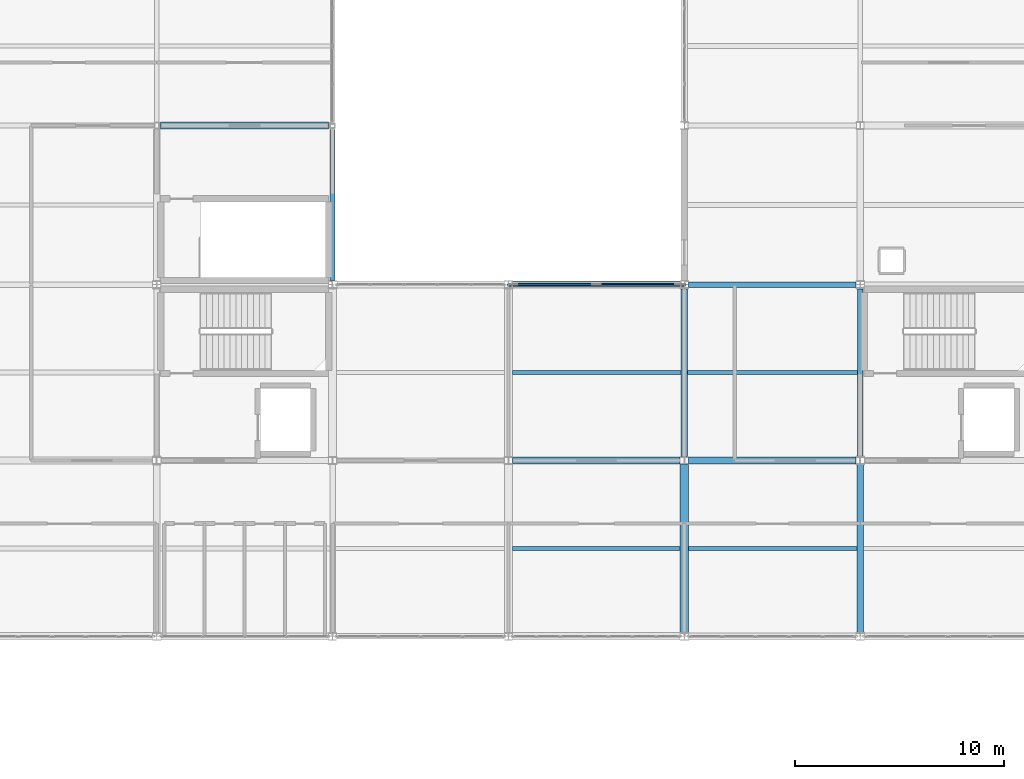
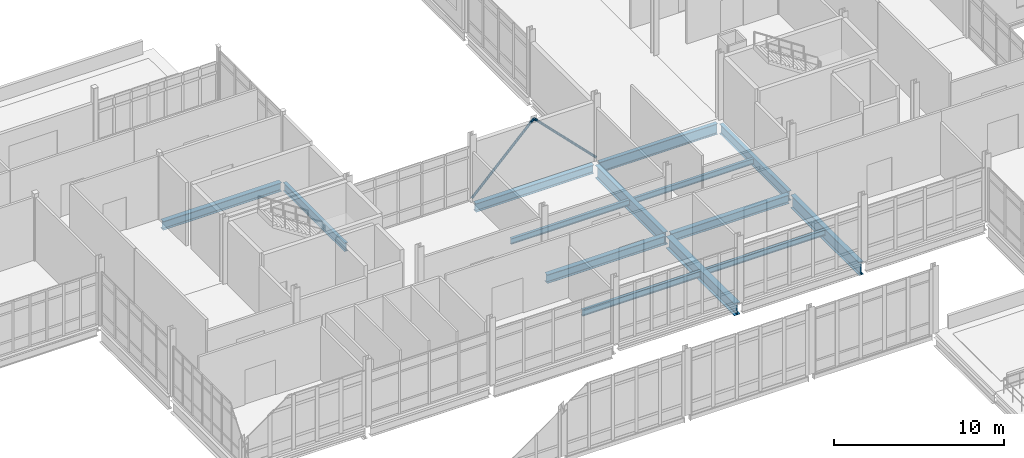
# One storey, part 41 of 186: 14 beams, 2 members.
"""IFC4 building model written with IfcOpenShell, lengths in metres."""

import ifcopenshell
import ifcopenshell.guid

model = None  # the IFC model being written
_history = None  # IfcOwnerHistory: only IFC2X3 demands one
_inside = {}  # id of a spatial element -> (the spatial element, [elements in it])
_under = {}  # id of a project, library or spatial element -> (it, [spatial elements below it])
_declared = {}  # id of a project -> (the project, [libraries it declares])
_typed = {}  # id of a type object -> (the type object, [elements of that type])
_made_of = {}  # id of a material, layer set ... -> (it, [elements and type objects made of it])


def new_model(schema):
    """Start an empty IFC model of exactly this schema.

    Asked for "IFC4X3", IfcOpenShell would pick the latest addendum, in which some entities
    have other attributes; the version numbers below select the first issue.
    IFC2X3 requires an IfcOwnerHistory on every rooted entity: one is made here for all.
    """
    global model, _history
    if schema == "IFC4X3":
        model = ifcopenshell.file(schema_version=(4, 3, 0, 0))
    else:
        model = ifcopenshell.file(schema=schema)
    _inside.clear()
    _under.clear()
    _declared.clear()
    _typed.clear()
    _made_of.clear()
    _history = None
    if model.schema == "IFC2X3":
        org = make("IfcOrganization", Name="unknown")
        user = make(
            "IfcPersonAndOrganization",
            ThePerson=make("IfcPerson", FamilyName="unknown"),
            TheOrganization=org,
        )
        app = make(
            "IfcApplication",
            ApplicationDeveloper=org,
            Version="unknown",
            ApplicationFullName="unknown",
            ApplicationIdentifier="unknown",
        )
        _history = make(
            "IfcOwnerHistory",
            OwningUser=user,
            OwningApplication=app,
            ChangeAction="ADDED",
            CreationDate=0,
        )
    return model


def make(cls, **values):
    """One entity of the class cls with the attributes given. An attribute that is None is left unset."""
    return model.create_entity(
        cls, **{name: value for name, value in values.items() if value is not None}
    )


def rooted(cls, **values):
    """An entity with a GlobalId (a new one), such as an element, a storey or a relation."""
    return make(cls, GlobalId=ifcopenshell.guid.new(), OwnerHistory=_history, **values)


def si_unit(unit_type, name, prefix=None):
    """IfcSIUnit, for example si_unit("LENGTHUNIT", "METRE", prefix="MILLI")."""
    return make("IfcSIUnit", UnitType=unit_type, Prefix=prefix, Name=name)


def assignment(units):
    """IfcUnitAssignment: the units of a project."""
    return None if units is None else make("IfcUnitAssignment", Units=units)


def point(xyz):
    """IfcCartesianPoint."""
    return None if xyz is None else make("IfcCartesianPoint", Coordinates=xyz)


def direction(xyz):
    """IfcDirection."""
    return None if xyz is None else make("IfcDirection", DirectionRatios=xyz)


def frame(location, z_axis=None, x_axis=None):
    """IfcAxis2Placement3D, a coordinate frame: its origin and axes. An axis left out is left unset."""
    return make(
        "IfcAxis2Placement3D",
        Location=point(location),
        Axis=direction(z_axis),
        RefDirection=direction(x_axis),
    )


def frame_2d(location, x_axis=None):
    """IfcAxis2Placement2D, a coordinate frame in the plane: its origin and x axis."""
    return make(
        "IfcAxis2Placement2D", Location=point(location), RefDirection=direction(x_axis)
    )


def origin():
    """The frame at (0, 0, 0) with its axes left unset."""
    return frame((0.0, 0.0, 0.0))


def origin_2d():
    """The frame at (0, 0) in the plane with its x axis left unset."""
    return frame_2d((0.0, 0.0))


def place(relative_to, where):
    """IfcLocalPlacement: puts the frame where relative to a parent placement (None: the world)."""
    return make(
        "IfcLocalPlacement", PlacementRelTo=relative_to, RelativePlacement=where
    )


def context(
    kind, dimensions, precision=None, world=None, true_north=None, identifier=None
):
    """IfcGeometricRepresentationContext, for example the 3D "Model" context."""
    return make(
        "IfcGeometricRepresentationContext",
        ContextIdentifier=identifier,
        ContextType=kind,
        CoordinateSpaceDimension=dimensions,
        Precision=precision,
        WorldCoordinateSystem=world,
        TrueNorth=true_north,
    )


def subcontext(parent, identifier, kind, view, scale=None):
    """IfcGeometricRepresentationSubContext, for example "Body" below "Model"."""
    return make(
        "IfcGeometricRepresentationSubContext",
        ContextIdentifier=identifier,
        ContextType=kind,
        ParentContext=parent,
        TargetScale=scale,
        TargetView=view,
    )


def project(units=None, contexts=None):
    """IfcProject with its units and contexts."""
    return rooted(
        "IfcProject",
        Name="project",
        RepresentationContexts=contexts,
        UnitsInContext=assignment(units),
    )


def spatial(cls, under=None, at=None, **own):
    """A site, building, storey or space (cls), placed at a placement, below another one or the project."""
    s = rooted(cls, ObjectPlacement=at, **own)
    if under is not None:
        _under.setdefault(under.id(), (under, []))[1].append(s)
    return s


def profile(cls, at=None, kind="AREA", **sizes):
    """A parametric profile (cls). Its sizes go by their IFC names, for example OverallWidth=200.0."""
    return make(cls, ProfileType=kind, Position=at, **sizes)


def hollow_circle(**sizes):
    """IfcCircleHollowProfileDef."""
    return profile("IfcCircleHollowProfileDef", **sizes)


def i_section(**sizes):
    """IfcIShapeProfileDef."""
    return profile("IfcIShapeProfileDef", **sizes)


def extrude(swept, where, along, depth):
    """IfcExtrudedAreaSolid: the profile swept, set in the frame where, extruded along a direction by depth."""
    return make(
        "IfcExtrudedAreaSolid",
        SweptArea=swept,
        Position=where,
        ExtrudedDirection=direction(along),
        Depth=depth,
    )


def shape(context_of_items, identifier, shape_type, items):
    """IfcShapeRepresentation: the items that make up one representation, for example the "Body"."""
    return make(
        "IfcShapeRepresentation",
        ContextOfItems=context_of_items,
        RepresentationIdentifier=identifier,
        RepresentationType=shape_type,
        Items=items,
    )


def material(Name=None, Category=None):
    """IfcMaterial."""
    return make("IfcMaterial", Name=Name, Category=Category)


def material_profile(
    of_material, cross_section, Name=None, Category=None, Priority=None
):
    """IfcMaterialProfile: a cross section and its material."""
    return make(
        "IfcMaterialProfile",
        Name=Name,
        Material=of_material,
        Profile=cross_section,
        Priority=Priority,
        Category=Category,
    )


def profile_set(profiles, Name=None, composite=None):
    """IfcMaterialProfileSet."""
    return make(
        "IfcMaterialProfileSet",
        Name=Name,
        MaterialProfiles=profiles,
        CompositeProfile=composite,
    )


def made_of(thing, what):
    """Note that an element or type object is made of a material, layer set ...; save() writes the relation."""
    if what is not None:
        _made_of.setdefault(what.id(), (what, []))[1].append(thing)
    return thing


def type_object(cls, material=None, **own):
    """A type object (cls), such as IfcWallType, which elements share."""
    return made_of(rooted(cls, **own), material)


def element(
    cls,
    number,
    at=None,
    inside=None,
    cuts=None,
    type_object=None,
    material=None,
    context=None,
    identifier="Body",
    shape_type=None,
    held_by="IfcProductDefinitionShape",
    body=None,
    shapes=None,
    **own,
):
    """One element of the class cls, such as IfcWall. Its Tag is "e" and its number.

    at: its placement. inside: the storey or other place that contains it. cuts: it is an
    opening in that element (IfcRelVoidsElement). A single representation is given by context,
    identifier, shape_type and body (its items); several are given by shapes. held_by: the class
    of the entity that holds the representations. save() writes the other relations.
    """
    e = rooted(cls, Tag="e%d" % number, ObjectPlacement=at, **own)
    if body is not None:
        shapes = [shape(context, identifier, shape_type, body)]
    if shapes is not None:
        e.Representation = make(held_by, Representations=shapes)
    if inside is not None:
        _inside.setdefault(inside.id(), (inside, []))[1].append(e)
    if cuts is not None:
        rooted(
            "IfcRelVoidsElement", RelatingBuildingElement=cuts, RelatedOpeningElement=e
        )
    if type_object is not None:
        _typed.setdefault(type_object.id(), (type_object, []))[1].append(e)
    return made_of(e, material)


def aggregate(whole, parts):
    """IfcRelAggregates: a whole, such as a stair, and the parts it consists of."""
    return rooted("IfcRelAggregates", RelatingObject=whole, RelatedObjects=parts)


def save(model, path):
    """Write the relations noted so far, then the file.

    IfcRelAggregates (storeys below a building ...), IfcRelContainedInSpatialStructure (elements
    in a storey), IfcRelDefinesByType, IfcRelAssociatesMaterial and IfcRelDeclares: one each for
    every whole, place, type object, material and project.
    """
    for whole, parts in _under.values():
        aggregate(whole, parts)
    for where, things in _inside.values():
        rooted(
            "IfcRelContainedInSpatialStructure",
            RelatedElements=things,
            RelatingStructure=where,
        )
    for kind, things in _typed.values():
        rooted("IfcRelDefinesByType", RelatedObjects=things, RelatingType=kind)
    for what, things in _made_of.values():
        rooted("IfcRelAssociatesMaterial", RelatedObjects=things, RelatingMaterial=what)
    for by, libraries in _declared.values():
        rooted("IfcRelDeclares", RelatingContext=by, RelatedDefinitions=libraries)
    model.write(path)


model = new_model("IFC4")

# Units and contexts
model_context = context("Model", 3, precision=1e-05, world=origin(), true_north=direction((0.0, 1.0)))
body_context = subcontext(model_context, "Body", "Model", "MODEL_VIEW")
ifc_project = project(units=[si_unit("LENGTHUNIT", "METRE"), si_unit("AREAUNIT", "SQUARE_METRE"), si_unit("VOLUMEUNIT", "CUBIC_METRE"), si_unit("PLANEANGLEUNIT", "RADIAN"), si_unit("MASSUNIT", "GRAM", prefix="KILO")], contexts=[model_context])

# Site, building, storey
site_placement = place(None, origin())
site = spatial("IfcSite", under=ifc_project, at=site_placement, CompositionType="ELEMENT")
building_placement = place(site_placement, origin())
building = spatial("IfcBuilding", under=site, at=building_placement, Name="Calvrana Isthmian Art Gallery", CompositionType="ELEMENT")
storey_placement = place(building_placement, frame((0.0, 0.0, 5.39990234375)))
storey = spatial("IfcBuildingStorey", under=building, at=storey_placement, Name="L01", CompositionType="ELEMENT", Elevation=5.39990234375)

# Beams
ifc_material_1 = material(Name="Steel ASTM A992 Gr 50", Category="steel")
ifc_material_profile_1 = material_profile(ifc_material_1, i_section(OverallWidth=0.324951171875, OverallDepth=0.612060546875, WebThickness=0.0126953125, FlangeThickness=0.01904296875, FilletRadius=0.02197265625, at=origin_2d()), Name="W24X104")
ifc_profile_set_1 = profile_set([ifc_material_profile_1], Name="Steel ASTM A992 Gr 50")
beam_type_1 = type_object("IfcBeamType", Name="BM-G-W24X104", PredefinedType="BEAM", material=ifc_profile_set_1)
beam_1_placement = place(storey_placement, frame((55.3994140625, 38.39990234375, -0.55078125), z_axis=(1.0, 0.0, 0.0), x_axis=(0.0, 1.0, 0.0)))
element("IfcBeam", 1, at=beam_1_placement, inside=storey, type_object=beam_type_1, Name="Girder X L01 08-09/F", PredefinedType="BEAM", context=body_context, shape_type="SweptSolid", body=[
    extrude(i_section(OverallWidth=0.324951171875, OverallDepth=0.612060546875, WebThickness=0.0126953125, FlangeThickness=0.01904296875, FilletRadius=0.02197265625, at=origin_2d()), origin(), (0.0, 0.0, 1.0), 8.002685546875),
])
beam_2_placement = place(storey_placement, frame((46.99951171875, 46.800048828125, -0.55078125), z_axis=(1.0, 0.0, 0.0), x_axis=(0.0, 1.0, 0.0)))
element("IfcBeam", 2, at=beam_2_placement, inside=storey, type_object=beam_type_1, Name="Girder X L01 07-08/G", PredefinedType="BEAM", context=body_context, shape_type="SweptSolid", body=[
    extrude(i_section(OverallWidth=0.324951171875, OverallDepth=0.612060546875, WebThickness=0.0126953125, FlangeThickness=0.01904296875, FilletRadius=0.02197265625, at=origin_2d()), origin(), (0.0, 0.0, 1.0), 7.99853515625),
])
ifc_material_profile_2 = material_profile(ifc_material_1, i_section(OverallWidth=0.327880859375, OverallDepth=0.6220703125, WebThickness=0.015380859375, FlangeThickness=0.0244140625, FilletRadius=0.02197265625, at=origin_2d()), Name="W24X131")
ifc_profile_set_2 = profile_set([ifc_material_profile_2], Name="Steel ASTM A992 Gr 50")
beam_type_2 = type_object("IfcBeamType", Name="BM-G-W24X131", PredefinedType="BEAM", material=ifc_profile_set_2)
beam_3_placement = place(storey_placement, frame((46.986572265625, 38.39990234375, -0.555908203125), z_axis=(1.0, 0.0, 0.0), x_axis=(0.0, 1.0, 0.0)))
element("IfcBeam", 3, at=beam_3_placement, inside=storey, type_object=beam_type_2, Name="Girder X L01 07-08/F", PredefinedType="BEAM", context=body_context, shape_type="SweptSolid", body=[
    extrude(i_section(OverallWidth=0.327880859375, OverallDepth=0.6220703125, WebThickness=0.015380859375, FlangeThickness=0.0244140625, FilletRadius=0.02197265625, at=origin_2d()), origin(), (0.0, 0.0, 1.0), 8.013916015625),
])
beam_4_placement = place(storey_placement, frame((30.18408203125, 54.39990234375, -0.555908203125), z_axis=(1.0, 0.0, 0.0), x_axis=(0.0, 1.0, 0.0)))
element("IfcBeam", 4, at=beam_4_placement, inside=storey, type_object=beam_type_2, Name="Girder X L01 05-06/H", PredefinedType="BEAM", context=body_context, shape_type="SweptSolid", body=[
    extrude(i_section(OverallWidth=0.327880859375, OverallDepth=0.6220703125, WebThickness=0.015380859375, FlangeThickness=0.0244140625, FilletRadius=0.02197265625, at=origin_2d()), origin(), (0.0, 0.0, 1.0), 8.029296875),
])
ifc_material_profile_3 = material_profile(ifc_material_1, i_section(OverallWidth=0.22802734375, OverallDepth=0.60693359375, WebThickness=0.01123046875, FlangeThickness=0.017333984375, FilletRadius=0.02197265625, at=origin_2d()), Name="W24X76")
ifc_profile_set_3 = profile_set([ifc_material_profile_3], Name="Steel ASTM A992 Gr 50")
beam_type_3 = type_object("IfcBeamType", Name="BM-G-W24X76", PredefinedType="BEAM", material=ifc_profile_set_3)
beam_5_placement = place(storey_placement, frame((38.39990234375, 46.99951171875, -0.54833984375), z_axis=(0.0, 1.0, 0.0), x_axis=(-1.0, 0.0, 0.0)))
element("IfcBeam", 5, at=beam_5_placement, inside=storey, type_object=beam_type_3, Name="Girder Y L01 06/G-H", PredefinedType="BEAM", context=body_context, shape_type="SweptSolid", body=[
    extrude(i_section(OverallWidth=0.22802734375, OverallDepth=0.60693359375, WebThickness=0.01123046875, FlangeThickness=0.017333984375, FilletRadius=0.02197265625, at=origin_2d()), origin(), (0.0, 0.0, 1.0), 7.2138671875),
])
ifc_material_profile_4 = material_profile(ifc_material_1, i_section(OverallWidth=0.257080078125, OverallDepth=0.693115234375, WebThickness=0.014404296875, FlangeThickness=0.023681640625, FilletRadius=0.02392578125, at=origin_2d()), Name="W27X114")
ifc_profile_set_4 = profile_set([ifc_material_profile_4], Name="Steel ASTM A992 Gr 50")
beam_type_4 = type_object("IfcBeamType", Name="BM-G-W27X114", PredefinedType="BEAM", material=ifc_profile_set_4)
beam_6_placement = place(storey_placement, frame((63.60009765625, 38.590576171875, -0.59130859375), z_axis=(0.0, 1.0, 0.0), x_axis=(-1.0, 0.0, 0.0)))
element("IfcBeam", 6, at=beam_6_placement, inside=storey, type_object=beam_type_4, Name="Girder Y L01 09/F-G", PredefinedType="BEAM", context=body_context, shape_type="SweptSolid", body=[
    extrude(i_section(OverallWidth=0.257080078125, OverallDepth=0.693115234375, WebThickness=0.014404296875, FlangeThickness=0.023681640625, FilletRadius=0.02392578125, at=origin_2d()), origin(), (0.0, 0.0, 1.0), 8.012451171875),
])
ifc_material_profile_5 = material_profile(ifc_material_1, i_section(OverallWidth=0.26708984375, OverallDepth=0.761962890625, WebThickness=0.014404296875, FlangeThickness=0.021484375, FilletRadius=0.02490234375, at=origin_2d()), Name="W30X116")
ifc_profile_set_5 = profile_set([ifc_material_profile_5], Name="Steel ASTM A992 Gr 50")
beam_type_5 = type_object("IfcBeamType", Name="BM-G-W30X116", PredefinedType="BEAM", material=ifc_profile_set_5)
beam_7_placement = place(storey_placement, frame((55.402099609375, 46.800048828125, -0.6259765625), z_axis=(1.0, 0.0, 0.0), x_axis=(0.0, 1.0, 0.0)))
element("IfcBeam", 7, at=beam_7_placement, inside=storey, type_object=beam_type_5, Name="Girder X L01 08-09/G", PredefinedType="BEAM", context=body_context, shape_type="SweptSolid", body=[
    extrude(i_section(OverallWidth=0.26708984375, OverallDepth=0.761962890625, WebThickness=0.014404296875, FlangeThickness=0.021484375, FilletRadius=0.02490234375, at=origin_2d()), origin(), (0.0, 0.0, 1.0), 7.998291015625),
])
ifc_material_profile_6 = material_profile(ifc_material_1, i_section(OverallWidth=0.40087890625, OverallDepth=0.85595703125, WebThickness=0.018310546875, FlangeThickness=0.029296875, FilletRadius=0.02587890625, at=origin_2d()), Name="W33X201")
ifc_profile_set_6 = profile_set([ifc_material_profile_6], Name="Steel ASTM A992 Gr 50")
beam_type_6 = type_object("IfcBeamType", Name="BM-G-W33X201", PredefinedType="BEAM", material=ifc_profile_set_6)
beam_8_placement = place(storey_placement, frame((55.199951171875, 30.1904296875, -0.6728515625), z_axis=(0.0, 1.0, 0.0), x_axis=(-1.0, 0.0, 0.0)))
element("IfcBeam", 8, at=beam_8_placement, inside=storey, type_object=beam_type_6, Name="Girder Y L01 08/E-F", PredefinedType="BEAM", context=body_context, shape_type="SweptSolid", body=[
    extrude(i_section(OverallWidth=0.40087890625, OverallDepth=0.85595703125, WebThickness=0.018310546875, FlangeThickness=0.029296875, FilletRadius=0.02587890625, at=origin_2d()), origin(), (0.0, 0.0, 1.0), 8.0166015625),
])
ifc_material_profile_7 = material_profile(ifc_material_1, i_section(OverallWidth=0.306884765625, OverallDepth=0.927001953125, WebThickness=0.019287109375, FlangeThickness=0.031982421875, FilletRadius=0.028076171875, at=origin_2d()), Name="W36X194")
ifc_profile_set_7 = profile_set([ifc_material_profile_7], Name="Steel ASTM A992 Gr 50")
beam_type_7 = type_object("IfcBeamType", Name="BM-G-W36X194", PredefinedType="BEAM", material=ifc_profile_set_7)
beam_9_placement = place(storey_placement, frame((55.199951171875, 38.593017578125, -0.70849609375), z_axis=(0.0, 1.0, 0.0), x_axis=(-1.0, 0.0, 0.0)))
element("IfcBeam", 9, at=beam_9_placement, inside=storey, type_object=beam_type_7, Name="Girder Y L01 08/F-G", PredefinedType="BEAM", context=body_context, shape_type="SweptSolid", body=[
    extrude(i_section(OverallWidth=0.306884765625, OverallDepth=0.927001953125, WebThickness=0.019287109375, FlangeThickness=0.031982421875, FilletRadius=0.028076171875, at=origin_2d()), origin(), (0.0, 0.0, 1.0), 8.00390625),
])
beam_10_placement = place(storey_placement, frame((63.60009765625, 30.18798828125, -0.70849609375), z_axis=(0.0, 1.0, 0.0), x_axis=(-1.0, 0.0, 0.0)))
element("IfcBeam", 10, at=beam_10_placement, inside=storey, type_object=beam_type_7, Name="Girder Y L01 09/E-F", PredefinedType="BEAM", context=body_context, shape_type="SweptSolid", body=[
    extrude(i_section(OverallWidth=0.306884765625, OverallDepth=0.927001953125, WebThickness=0.019287109375, FlangeThickness=0.031982421875, FilletRadius=0.028076171875, at=origin_2d()), origin(), (0.0, 0.0, 1.0), 8.021484375),
])
ifc_material_profile_8 = material_profile(ifc_material_1, i_section(OverallWidth=0.177978515625, OverallDepth=0.404052734375, WebThickness=0.007568359375, FlangeThickness=0.010986328125, FilletRadius=0.01806640625, at=origin_2d()), Name="W16X36")
ifc_profile_set_8 = profile_set([ifc_material_profile_8], Name="Steel ASTM A992 Gr 50")
beam_type_8 = type_object("IfcBeamType", Name="BM-J-W16X36", PredefinedType="JOIST", material=ifc_profile_set_8)
beam_11_placement = place(storey_placement, frame((55.353515625, 42.60009765625, -0.447021484375), z_axis=(1.0, 0.0, 0.0), x_axis=(0.0, 1.0, 0.0)))
element("IfcBeam", 11, at=beam_11_placement, inside=storey, type_object=beam_type_8, Name="Composite joist L01 bay 07-05", PredefinedType="JOIST", context=body_context, shape_type="SweptSolid", body=[
    extrude(i_section(OverallWidth=0.177978515625, OverallDepth=0.404052734375, WebThickness=0.007568359375, FlangeThickness=0.010986328125, FilletRadius=0.01806640625, at=origin_2d()), origin(), (0.0, 0.0, 1.0), 8.117919921875),
])
ifc_material_profile_9 = material_profile(ifc_material_1, i_section(OverallWidth=0.179931640625, OverallDepth=0.4140625, WebThickness=0.009765625, FlangeThickness=0.01611328125, FilletRadius=0.01806640625, at=origin_2d()), Name="W16X50")
ifc_profile_set_9 = profile_set([ifc_material_profile_9], Name="Steel ASTM A992 Gr 50")
beam_type_9 = type_object("IfcBeamType", Name="BM-J-W16X50", PredefinedType="JOIST", material=ifc_profile_set_9)
beam_12_placement = place(storey_placement, frame((47.00048828125, 42.60009765625, -0.451904296875), z_axis=(1.0, 0.0, 0.0), x_axis=(0.0, 1.0, 0.0)))
element("IfcBeam", 12, at=beam_12_placement, inside=storey, type_object=beam_type_9, Name="Composite joist L01 bay 06-05", PredefinedType="JOIST", context=body_context, shape_type="SweptSolid", body=[
    extrude(i_section(OverallWidth=0.179931640625, OverallDepth=0.4140625, WebThickness=0.009765625, FlangeThickness=0.01611328125, FilletRadius=0.01806640625, at=origin_2d()), origin(), (0.0, 0.0, 1.0), 8.0458984375),
])
beam_13_placement = place(storey_placement, frame((55.400390625, 34.199951171875, -0.451904296875), z_axis=(1.0, 0.0, 0.0), x_axis=(0.0, 1.0, 0.0)))
element("IfcBeam", 13, at=beam_13_placement, inside=storey, type_object=beam_type_9, Name="Composite joist L01 bay 07-04", PredefinedType="JOIST", context=body_context, shape_type="SweptSolid", body=[
    extrude(i_section(OverallWidth=0.179931640625, OverallDepth=0.4140625, WebThickness=0.009765625, FlangeThickness=0.01611328125, FilletRadius=0.01806640625, at=origin_2d()), origin(), (0.0, 0.0, 1.0), 8.046142578125),
])
ifc_material_profile_10 = material_profile(ifc_material_1, i_section(OverallWidth=0.19091796875, OverallDepth=0.45703125, WebThickness=0.009033203125, FlangeThickness=0.014404296875, FilletRadius=0.02001953125, at=origin_2d()), Name="W18X50")
ifc_profile_set_10 = profile_set([ifc_material_profile_10], Name="Steel ASTM A992 Gr 50")
beam_type_10 = type_object("IfcBeamType", Name="BM-J-W18X50", PredefinedType="JOIST", material=ifc_profile_set_10)
beam_14_placement = place(storey_placement, frame((46.990478515625, 34.199951171875, -0.473388671875), z_axis=(1.0, 0.0, 0.0), x_axis=(0.0, 1.0, 0.0)))
element("IfcBeam", 14, at=beam_14_placement, inside=storey, type_object=beam_type_10, Name="Composite joist L01 bay 06-04", PredefinedType="JOIST", context=body_context, shape_type="SweptSolid", body=[
    extrude(i_section(OverallWidth=0.19091796875, OverallDepth=0.45703125, WebThickness=0.009033203125, FlangeThickness=0.014404296875, FilletRadius=0.02001953125, at=origin_2d()), origin(), (0.0, 0.0, 1.0), 8.009033203125),
])

# Members
ifc_material_2 = material(Name="Steel ASTM A500 Gr C", Category="steel")
ifc_material_profile_11 = material_profile(ifc_material_2, hollow_circle(Radius=0.084228515625, WallThickness=0.009521484375, at=origin_2d()), Name="HSS168.3X9.5")
ifc_profile_set_11 = profile_set([ifc_material_profile_11], Name="Steel ASTM A500 Gr C")
member_type = type_object("IfcMemberType", Name="MB-BR-CHS168", PredefinedType="BRACE", material=ifc_profile_set_11)
for number, where, z_axis, x_axis, name in (
    (15, (46.800048828125, 46.800048828125, 0.150146484375), (0.704358217429, 0.0, 0.70984470241), (0.0, 1.0, 0.0), "Chevron lateral brace L01-3A"),
    (16, (55.199951171875, 46.800048828125, 0.150146484375), (-0.704358217429, 0.0, 0.70984470241), (0.0, -1.0, 0.0), "Chevron lateral brace L01-3B"),
):
    element("IfcMember", number, at=place(storey_placement, frame(where, z_axis=z_axis, x_axis=x_axis)), inside=storey, type_object=member_type, Name=name, PredefinedType="BRACE", context=body_context, shape_type="SweptSolid", body=[
        extrude(hollow_circle(Radius=0.084228515625, WallThickness=0.009521484375, at=origin_2d()), origin(), (0.0, 0.0, 1.0), 5.962890625),
    ])

save(model, "model.ifc")
